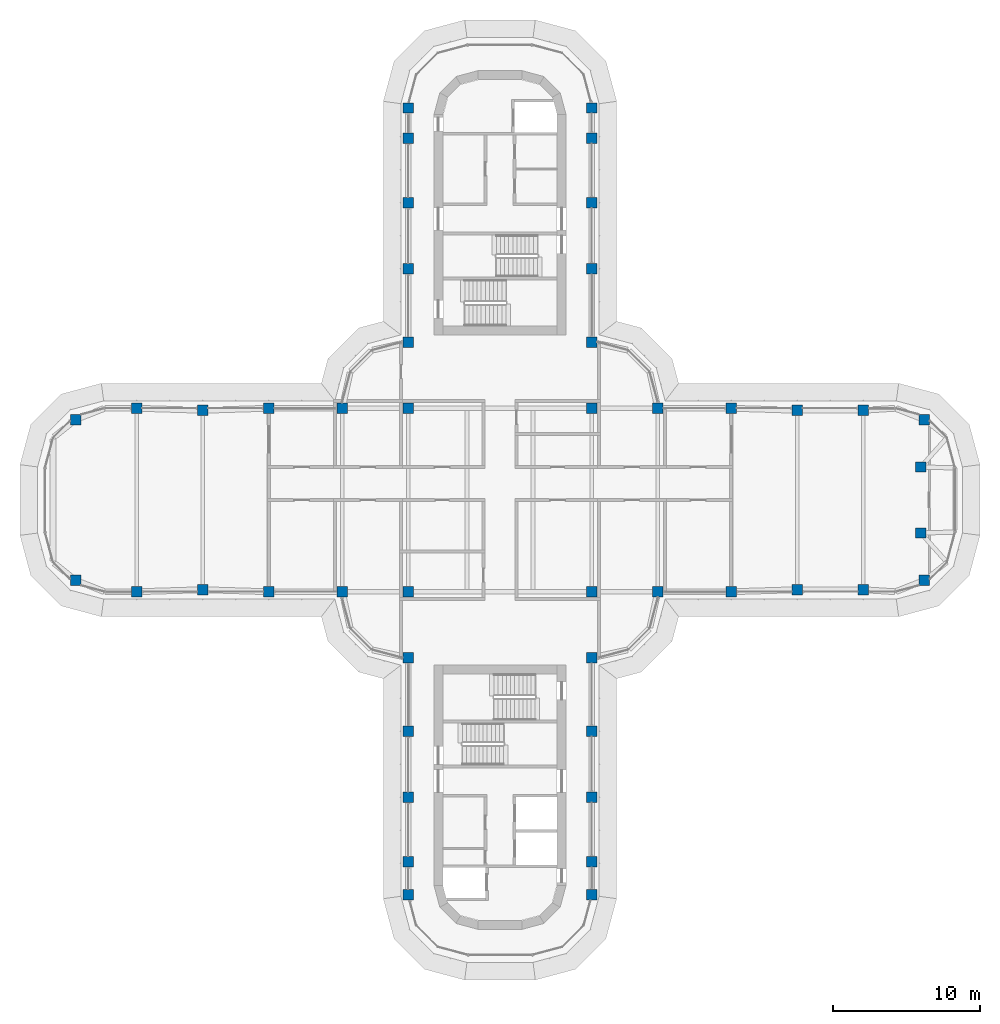
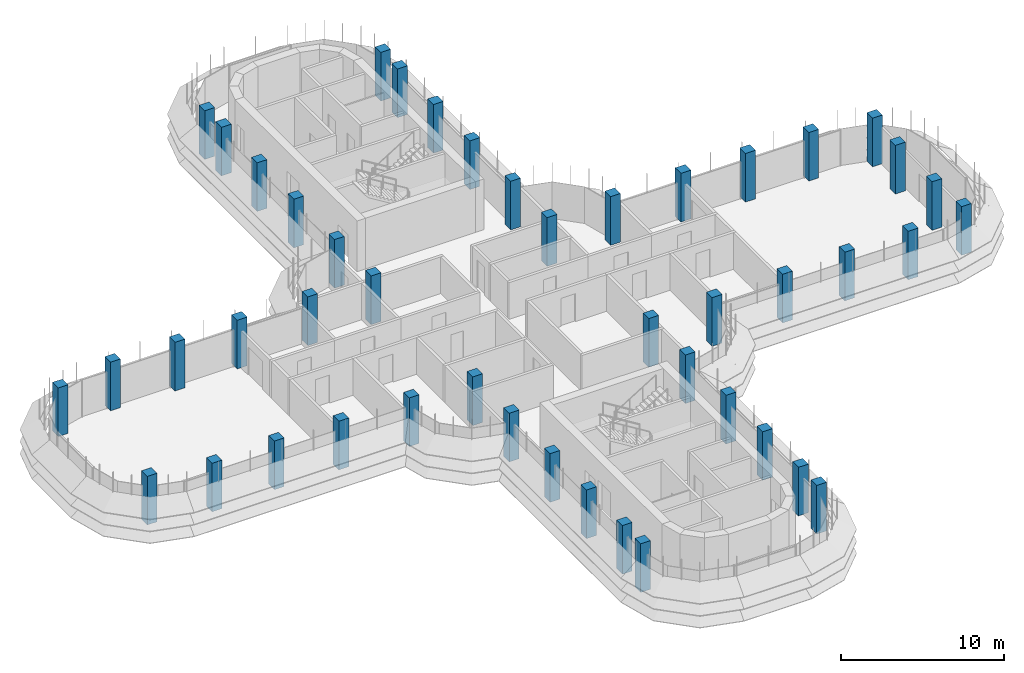
# One storey, part 1 of 18: 46 columns.
"""IFC4 building model written with IfcOpenShell, lengths in metres."""

from ifc_helpers import new_model, si_unit, direction, frame, origin, origin_2d, place, context, subcontext, project, spatial, rectangle, extrude, material, material_profile, profile_set, type_object, element, save


model = new_model("IFC4")

# Units and contexts
model_context = context("Model", 3, precision=1e-05, world=origin(), true_north=direction((0.0, 1.0)))
body_context = subcontext(model_context, "Body", "Model", "MODEL_VIEW")
ifc_project = project(units=[si_unit("LENGTHUNIT", "METRE"), si_unit("AREAUNIT", "SQUARE_METRE"), si_unit("VOLUMEUNIT", "CUBIC_METRE"), si_unit("PLANEANGLEUNIT", "RADIAN"), si_unit("MASSUNIT", "GRAM", prefix="KILO")], contexts=[model_context])

# Site, building, storey
site_placement = place(None, origin())
site = spatial("IfcSite", under=ifc_project, at=site_placement, CompositionType="ELEMENT")
building_placement = place(site_placement, origin())
building = spatial("IfcBuilding", under=site, at=building_placement, Name="Zarbagh Exchange Tower", CompositionType="ELEMENT")
storey_placement = place(building_placement, frame((0.0, 0.0, 210.60009765625)))
storey = spatial("IfcBuildingStorey", under=building, at=storey_placement, Name="L51", CompositionType="ELEMENT", Elevation=210.60009765625)

# Columns
ifc_material = material(Name="Concrete C50/60", Category="concrete")
ifc_material_profile = material_profile(ifc_material, rectangle(XDim=0.699951171875, YDim=0.699951171875, at=origin_2d()), Name="RC column 700 x 700 C50/60")
ifc_profile_set = profile_set([ifc_material_profile], Name="Concrete C50/60")
column_type = type_object("IfcColumnType", Name="RC column 700 x 700 C50/60", PredefinedType="COLUMN", material=ifc_profile_set)
for number, where, z_axis, x_axis, name in (
    (1, (-28.907958984375, -5.47509765625, 0.0), (0.0, 0.0, 1.0), (1.0, 0.0, 0.0), "C5 11/R"),
    (2, (-28.907958984375, 5.47509765625, 0.0), (0.0, 0.0, 1.0), (1.0, 0.0, 0.0), "C5 11/U"),
    (3, (-24.75, -6.25, 0.0), (0.0, 0.0, 1.0), (1.0, 0.0, 0.0), "C5 12/R"),
    (4, (-24.75, 6.25, 0.0), (0.0, 0.0, 1.0), (1.0, 0.0, 0.0), "C5 12/U"),
    (5, (-20.25, -6.110107421875, 0.0), (0.0, 0.0, 1.0), (1.0, 0.0, 0.0), "C5 13/R"),
    (6, (-20.25, 6.110107421875, 0.0), (0.0, 0.0, 1.0), (1.0, 0.0, 0.0), "C5 13/U"),
    (7, (-15.75, -6.25, 0.0), (0.0, 0.0, 1.0), (1.0, 0.0, 0.0), "C5 14/R"),
    (8, (-15.75, 6.25, 0.0), (0.0, 0.0, 1.0), (1.0, 0.0, 0.0), "C5 14/U"),
    (9, (-10.75, -6.25, 0.0), (0.0, 0.0, 1.0), (1.0, 0.0, 0.0), "C5 15/R"),
    (10, (-10.75, 6.25, 0.0), (0.0, 0.0, 1.0), (1.0, 0.0, 0.0), "C5 15/U"),
    (11, (-6.25, -26.89990234375, 0.0), (0.0, 0.0, 1.0), (1.0, 0.0, 0.0), "C5 16/L"),
    (12, (-6.25, -24.64990234375, 0.0), (0.0, 0.0, 1.0), (1.0, 0.0, 0.0), "C5 16/M"),
    (13, (-6.25, -20.25, 0.0), (0.0, 0.0, 1.0), (1.0, 0.0, 0.0), "C5 16/N"),
    (14, (-6.25, -15.75, 0.0), (0.0, 0.0, 1.0), (1.0, 0.0, 0.0), "C5 16/P"),
    (15, (-6.25, -10.75, 0.0), (0.0, 0.0, 1.0), (1.0, 0.0, 0.0), "C5 16/Q"),
    (16, (-6.25, -6.25, 0.0), (0.0, 0.0, 1.0), (1.0, 0.0, 0.0), "C5 16/R"),
    (17, (-6.25, 6.25, 0.0), (0.0, 0.0, 1.0), (1.0, 0.0, 0.0), "C5 16/U"),
    (18, (-6.25, 10.75, 0.0), (0.0, 0.0, 1.0), (1.0, 0.0, 0.0), "C5 16/V"),
    (19, (-6.25, 15.75, 0.0), (0.0, 0.0, 1.0), (1.0, 0.0, 0.0), "C5 16/W"),
    (20, (-6.25, 20.25, 0.0), (0.0, 0.0, 1.0), (1.0, 0.0, 0.0), "C5 16/X"),
    (21, (-6.25, 24.64990234375, 0.0), (0.0, 0.0, 1.0), (1.0, 0.0, 0.0), "C5 16/Y"),
    (22, (-6.25, 26.699951171875, 0.0), (0.0, 0.0, 1.0), (1.0, 0.0, 0.0), "C5 16/Z"),
    (23, (6.25, -26.89990234375, 0.0), (0.0, 0.0, 1.0), (1.0, 0.0, 0.0), "C5 19/L"),
    (24, (6.25, -24.64990234375, 0.0), (0.0, 0.0, 1.0), (1.0, 0.0, 0.0), "C5 19/M"),
    (25, (6.25, -20.25, 0.0), (0.0, 0.0, 1.0), (1.0, 0.0, 0.0), "C5 19/N"),
    (26, (6.25, -15.75, 0.0), (0.0, 0.0, 1.0), (1.0, 0.0, 0.0), "C5 19/P"),
    (27, (6.25, -10.75, 0.0), (0.0, 0.0, 1.0), (1.0, 0.0, 0.0), "C5 19/Q"),
    (28, (6.25, -6.25, 0.0), (0.0, 0.0, 1.0), (1.0, 0.0, 0.0), "C5 19/R"),
    (29, (6.25, 6.25, 0.0), (0.0, 0.0, 1.0), (1.0, 0.0, 0.0), "C5 19/U"),
    (30, (6.25, 10.75, 0.0), (0.0, 0.0, 1.0), (1.0, 0.0, 0.0), "C5 19/V"),
    (31, (6.25, 15.75, 0.0), (0.0, 0.0, 1.0), (1.0, 0.0, 0.0), "C5 19/W"),
    (32, (6.25, 20.25, 0.0), (0.0, 0.0, 1.0), (1.0, 0.0, 0.0), "C5 19/X"),
    (33, (6.25, 24.64990234375, 0.0), (0.0, 0.0, 1.0), (1.0, 0.0, 0.0), "C5 19/Y"),
    (34, (6.25, 26.699951171875, 0.0), (0.0, 0.0, 1.0), (1.0, 0.0, 0.0), "C5 19/Z"),
    (35, (10.75, -6.25, 0.0), (0.0, 0.0, 1.0), (1.0, 0.0, 0.0), "C5 20/R"),
    (36, (10.75, 6.25, 0.0), (0.0, 0.0, 1.0), (1.0, 0.0, 0.0), "C5 20/U"),
    (37, (15.75, -6.25, 0.0), (0.0, 0.0, 1.0), (1.0, 0.0, 0.0), "C5 21/R"),
    (38, (15.75, 6.25, 0.0), (0.0, 0.0, 1.0), (1.0, 0.0, 0.0), "C5 21/U"),
    (39, (20.25, -6.110107421875, 0.0), (0.0, 0.0, 1.0), (1.0, 0.0, 0.0), "C5 22/R"),
    (40, (20.25, 6.110107421875, 0.0), (0.0, 0.0, 1.0), (1.0, 0.0, 0.0), "C5 22/U"),
    (41, (24.75, -6.110107421875, 0.0), (0.0, 0.0, 1.0), (1.0, 0.0, 0.0), "C5 23/R"),
    (42, (24.75, 6.110107421875, 0.0), (0.0, 0.0, 1.0), (1.0, 0.0, 0.0), "C5 23/U"),
    (43, (28.907958984375, -5.47509765625, 0.0), (0.0, 0.0, 1.0), (1.0, 0.0, 0.0), "C5 24/R"),
    (44, (28.669921875, -2.25, 0.0), (0.0, 0.0, 1.0), (1.0, 0.0, 0.0), "C5 24/S"),
    (45, (28.669921875, 2.25, 0.0), (0.0, 0.0, 1.0), (1.0, 0.0, 0.0), "C5 24/T"),
    (46, (28.907958984375, 5.47509765625, 0.0), (0.0, 0.0, 1.0), (1.0, 0.0, 0.0), "C5 24/U"),
):
    element("IfcColumn", number, at=place(storey_placement, frame(where, z_axis=z_axis, x_axis=x_axis)), inside=storey, type_object=column_type, Name=name, PredefinedType="COLUMN", context=body_context, shape_type="SweptSolid", body=[
        extrude(rectangle(XDim=0.699951171875, YDim=0.699951171875, at=origin_2d()), origin(), (0.0, 0.0, 1.0), 3.64990234375),
    ])

save(model, "model.ifc")
